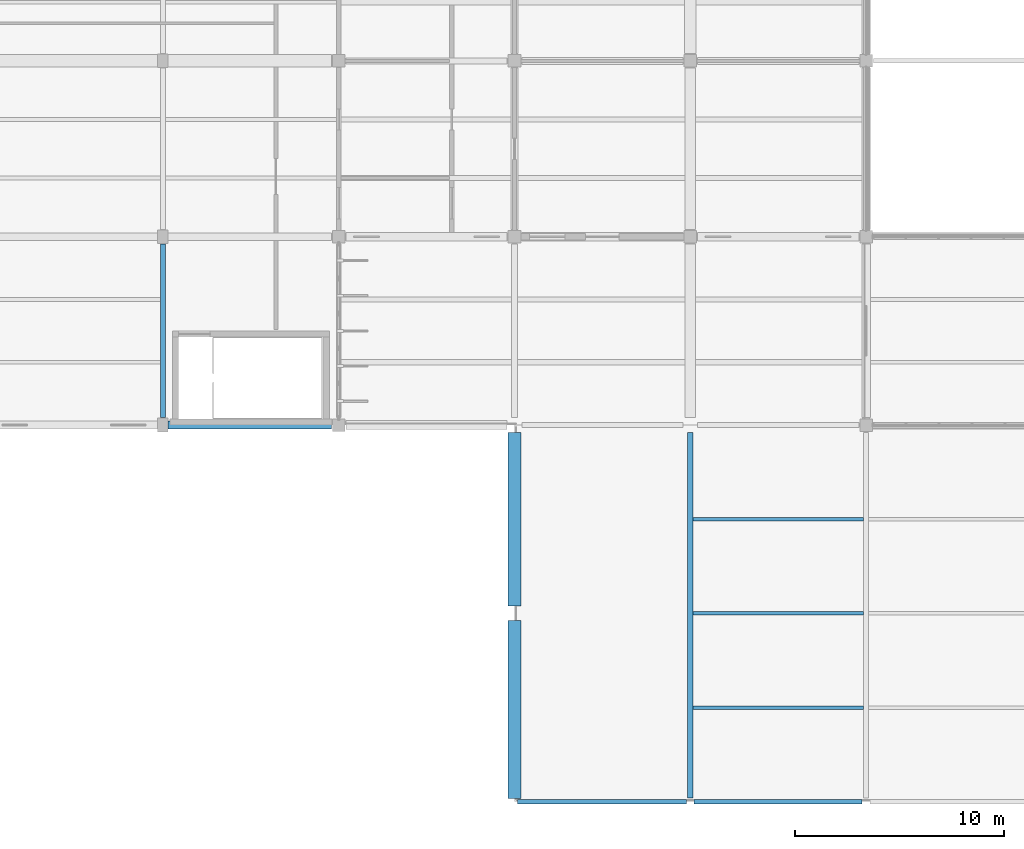
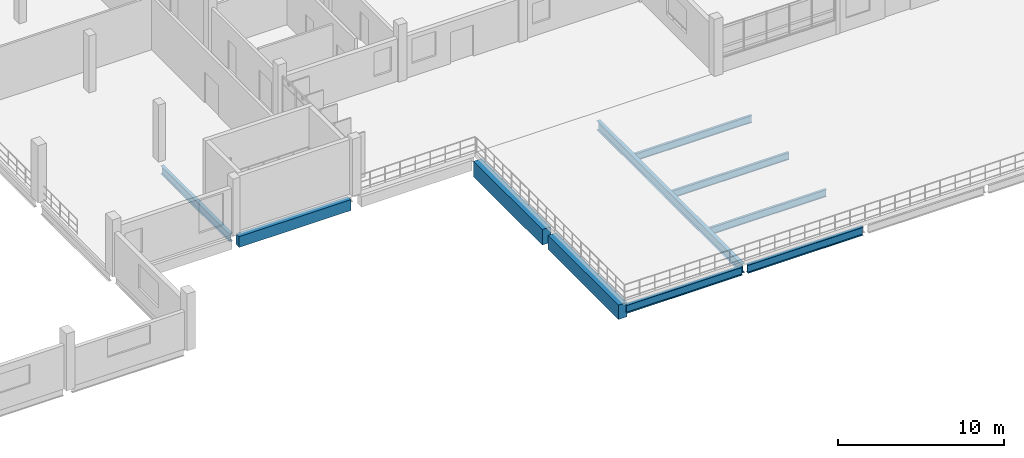
# One storey, part 8 of 101: 10 beams.
"""IFC4 building model written with IfcOpenShell, lengths in metres."""

from ifc_helpers import new_model, si_unit, direction, frame, origin, origin_2d, place, context, subcontext, project, spatial, rectangle, i_section, extrude, material, material_profile, profile_set, type_object, element, save


model = new_model("IFC4")

# Units and contexts
model_context = context("Model", 3, precision=1e-05, world=origin(), true_north=direction((0.0, 1.0)))
body_context = subcontext(model_context, "Body", "Model", "MODEL_VIEW")
ifc_project = project(units=[si_unit("LENGTHUNIT", "METRE"), si_unit("AREAUNIT", "SQUARE_METRE"), si_unit("VOLUMEUNIT", "CUBIC_METRE"), si_unit("PLANEANGLEUNIT", "RADIAN"), si_unit("MASSUNIT", "GRAM", prefix="KILO")], contexts=[model_context])

# Site, building, storey
site_placement = place(None, origin())
site = spatial("IfcSite", under=ifc_project, at=site_placement, CompositionType="ELEMENT")
building_placement = place(site_placement, origin())
building = spatial("IfcBuilding", under=site, at=building_placement, Name="Vireocrest Preparatory School", CompositionType="ELEMENT")
storey_placement = place(building_placement, frame((0.0, 0.0, 4.800048828125)))
storey = spatial("IfcBuildingStorey", under=building, at=storey_placement, Name="L01", CompositionType="ELEMENT", Elevation=4.800048828125)

# Beams
ifc_material_1 = material(Name="Structural steel ASTM A992 Grade 50", Category="steel")
ifc_material_profile_1 = material_profile(ifc_material_1, i_section(OverallWidth=0.2529296875, OverallDepth=0.677978515625, WebThickness=0.01171875, FlangeThickness=0.016357421875, FilletRadius=0.01806640625, at=origin_2d()), Name="W27X84")
ifc_profile_set_1 = profile_set([ifc_material_profile_1], Name="Structural steel ASTM A992 Grade 50")
beam_type_1 = type_object("IfcBeamType", Name="Concourse Long-Span Girder W27X84", PredefinedType="BEAM", material=ifc_profile_set_1)
beam_1_placement = place(storey_placement, frame((58.800048828125, 0.177978515625, -0.658935546875), z_axis=(0.0, 1.0, 0.0), x_axis=(-1.0, 0.0, 0.0)))
element("IfcBeam", 1, at=beam_1_placement, inside=storey, type_object=beam_type_1, Name="Primary Girder SB2 L01-0403", PredefinedType="BEAM", context=body_context, shape_type="SweptSolid", body=[
    extrude(i_section(OverallWidth=0.2529296875, OverallDepth=0.677978515625, WebThickness=0.01171875, FlangeThickness=0.016357421875, FilletRadius=0.01806640625, at=origin_2d()), origin(), (0.0, 0.0, 1.0), 17.471923828125),
])
ifc_material_profile_2 = material_profile(ifc_material_1, i_section(OverallWidth=0.22802734375, OverallDepth=0.60302734375, WebThickness=0.010498046875, FlangeThickness=0.014892578125, FilletRadius=0.01611328125, at=origin_2d()), Name="W24X68")
ifc_profile_set_2 = profile_set([ifc_material_profile_2], Name="Structural steel ASTM A992 Grade 50")
beam_type_2 = type_object("IfcBeamType", Name="Dining Pavilion Roof Girder W24X68", PredefinedType="BEAM", material=ifc_profile_set_2)
beam_2_placement = place(storey_placement, frame((50.552490234375, 0.0, -0.62158203125), z_axis=(1.0, 0.0, 0.0), x_axis=(0.0, 1.0, 0.0)))
element("IfcBeam", 2, at=beam_2_placement, inside=storey, type_object=beam_type_2, Name="Primary Girder SB4 L01-0252", PredefinedType="BEAM", context=body_context, shape_type="SweptSolid", body=[
    extrude(i_section(OverallWidth=0.22802734375, OverallDepth=0.60302734375, WebThickness=0.010498046875, FlangeThickness=0.014892578125, FilletRadius=0.01611328125, at=origin_2d()), origin(), (0.0, 0.0, 1.0), 8.06298828125),
])
beam_3_placement = place(storey_placement, frame((58.984619140625, 0.0, -0.62158203125), z_axis=(1.0, 0.0, 0.0), x_axis=(0.0, 1.0, 0.0)))
element("IfcBeam", 3, at=beam_3_placement, inside=storey, type_object=beam_type_2, Name="Primary Girder SB4 L01-0253", PredefinedType="BEAM", context=body_context, shape_type="SweptSolid", body=[
    extrude(i_section(OverallWidth=0.22802734375, OverallDepth=0.60302734375, WebThickness=0.010498046875, FlangeThickness=0.014892578125, FilletRadius=0.01611328125, at=origin_2d()), origin(), (0.0, 0.0, 1.0), 8.03076171875),
])
ifc_material_profile_3 = material_profile(ifc_material_1, i_section(OverallWidth=0.22802734375, OverallDepth=0.60791015625, WebThickness=0.01123046875, FlangeThickness=0.017333984375, FilletRadius=0.01611328125, at=origin_2d()), Name="W24X76")
ifc_profile_set_3 = profile_set([ifc_material_profile_3], Name="Structural steel ASTM A992 Grade 50")
beam_type_3 = type_object("IfcBeamType", Name="Gallery Steel Girder W24X76", PredefinedType="BEAM", material=ifc_profile_set_3)
beam_4_placement = place(storey_placement, frame((33.60009765625, 18.35009765625, -0.583984375), z_axis=(0.0, 1.0, 0.0), x_axis=(-1.0, 0.0, 0.0)))
element("IfcBeam", 4, at=beam_4_placement, inside=storey, type_object=beam_type_3, Name="Primary Girder SB3 L01-0375", PredefinedType="BEAM", context=body_context, shape_type="SweptSolid", body=[
    extrude(i_section(OverallWidth=0.22802734375, OverallDepth=0.60791015625, WebThickness=0.01123046875, FlangeThickness=0.017333984375, FilletRadius=0.01611328125, at=origin_2d()), origin(), (0.0, 0.0, 1.0), 8.2998046875),
])
ifc_material_profile_4 = material_profile(ifc_material_1, i_section(OverallWidth=0.166015625, OverallDepth=0.529052734375, WebThickness=0.009765625, FlangeThickness=0.013671875, FilletRadius=0.014892578125, at=origin_2d()), Name="W21X50")
ifc_profile_set_4 = profile_set([ifc_material_profile_4], Name="Structural steel ASTM A992 Grade 50")
beam_type_4 = type_object("IfcBeamType", Name="Pavilion Roof Joist W21X50", PredefinedType="JOIST", material=ifc_profile_set_4)
for number, where, z_axis, x_axis, name in (
    (5, (58.926513671875, 4.5, -0.58447265625), (1.0, 0.0, 0.0), (0.0, 1.0, 0.0), "Play Deck Joist SJ1-0663"),
    (6, (58.926513671875, 9.0, -0.58447265625), (1.0, 0.0, 0.0), (0.0, 1.0, 0.0), "Play Deck Joist SJ1-0664"),
    (7, (58.926513671875, 13.5, -0.58447265625), (1.0, 0.0, 0.0), (0.0, 1.0, 0.0), "Play Deck Joist SJ1-0665"),
):
    element("IfcBeam", number, at=place(storey_placement, frame(where, z_axis=z_axis, x_axis=x_axis)), inside=storey, type_object=beam_type_4, Name=name, PredefinedType="JOIST", context=body_context, shape_type="SweptSolid", body=[
        extrude(i_section(OverallWidth=0.166015625, OverallDepth=0.529052734375, WebThickness=0.009765625, FlangeThickness=0.013671875, FilletRadius=0.014892578125, at=origin_2d()), origin(), (0.0, 0.0, 1.0), 8.14697265625),
    ])
ifc_material_2 = material(Name="Concrete 40 MPa", Category="concrete")
ifc_material_profile_5 = material_profile(ifc_material_2, rectangle(XDim=0.60009765625, YDim=1.14990234375, at=origin_2d()), Name="RC 600x1150")
ifc_profile_set_5 = profile_set([ifc_material_profile_5], Name="Concrete 40 MPa")
beam_type_5 = type_object("IfcBeamType", Name="RC Heavy Transfer Girder 600x1150", PredefinedType="BEAM", material=ifc_profile_set_5)
beam_5_placement = place(storey_placement, frame((50.39990234375, 9.35009765625, -0.89501953125), z_axis=(0.0, 1.0, 0.0), x_axis=(-1.0, 0.0, 0.0)))
element("IfcBeam", 8, at=beam_5_placement, inside=storey, type_object=beam_type_5, Name="Primary Girder B20 L01-0391", PredefinedType="BEAM", context=body_context, shape_type="SweptSolid", body=[
    extrude(rectangle(XDim=0.60009765625, YDim=1.14990234375, at=origin_2d()), origin(), (0.0, 0.0, 1.0), 8.2998046875),
])
ifc_material_profile_6 = material_profile(ifc_material_2, rectangle(XDim=0.39990234375, YDim=0.800048828125, at=origin_2d()), Name="RC 400x800")
ifc_profile_set_6 = profile_set([ifc_material_profile_6], Name="Concrete 40 MPa")
beam_type_6 = type_object("IfcBeamType", Name="RC Library Reading Girder 400x800", PredefinedType="BEAM", material=ifc_profile_set_6)
beam_6_placement = place(storey_placement, frame((33.85009765625, 18.0, -0.679931640625), z_axis=(1.0, 0.0, 0.0), x_axis=(0.0, 1.0, 0.0)))
element("IfcBeam", 9, at=beam_6_placement, inside=storey, type_object=beam_type_6, Name="Primary Girder B10 L01-0260", PredefinedType="BEAM", context=body_context, shape_type="SweptSolid", body=[
    extrude(rectangle(XDim=0.39990234375, YDim=0.800048828125, at=origin_2d()), origin(), (0.0, 0.0, 1.0), 7.7998046875),
])
ifc_material_profile_7 = material_profile(ifc_material_2, rectangle(XDim=0.60009765625, YDim=1.050048828125, at=origin_2d()), Name="RC 600x1050")
ifc_profile_set_7 = profile_set([ifc_material_profile_7], Name="Concrete 40 MPa")
beam_type_7 = type_object("IfcBeamType", Name="RC Transfer Girder 600x1050", PredefinedType="BEAM", material=ifc_profile_set_7)
beam_7_placement = place(storey_placement, frame((50.39990234375, 0.154052734375, -0.844970703125), z_axis=(0.0, 1.0, 0.0), x_axis=(-1.0, 0.0, 0.0)))
element("IfcBeam", 10, at=beam_7_placement, inside=storey, type_object=beam_type_7, Name="Primary Girder B19 L01-0390", PredefinedType="BEAM", context=body_context, shape_type="SweptSolid", body=[
    extrude(rectangle(XDim=0.60009765625, YDim=1.050048828125, at=origin_2d()), origin(), (0.0, 0.0, 1.0), 8.495849609375),
])

save(model, "model.ifc")
